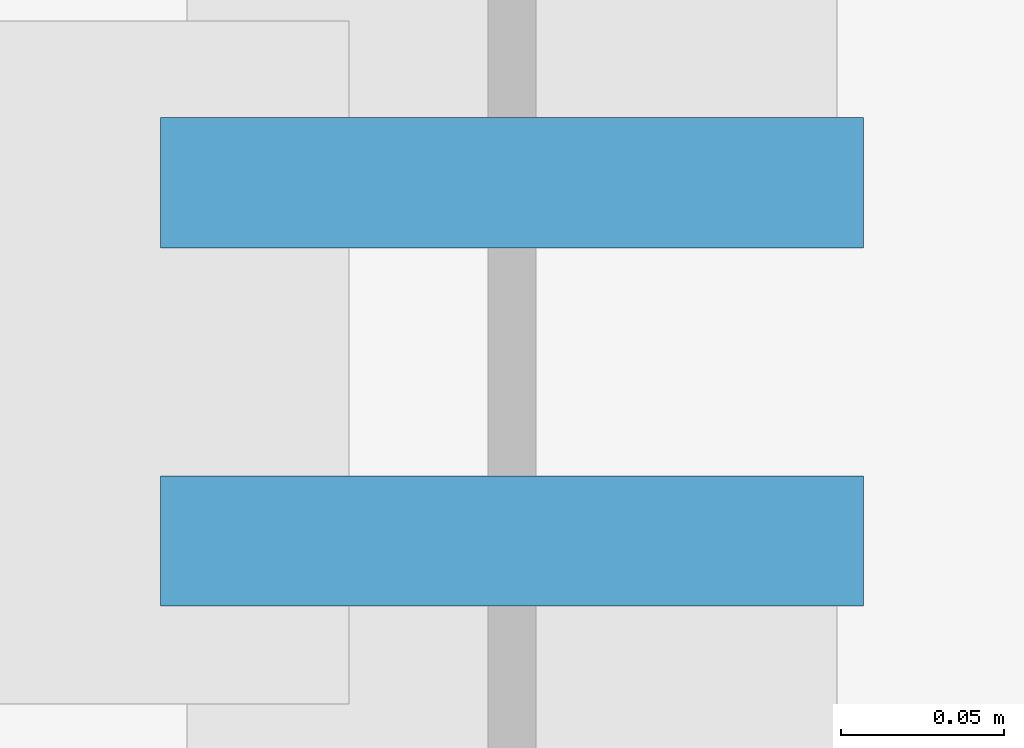
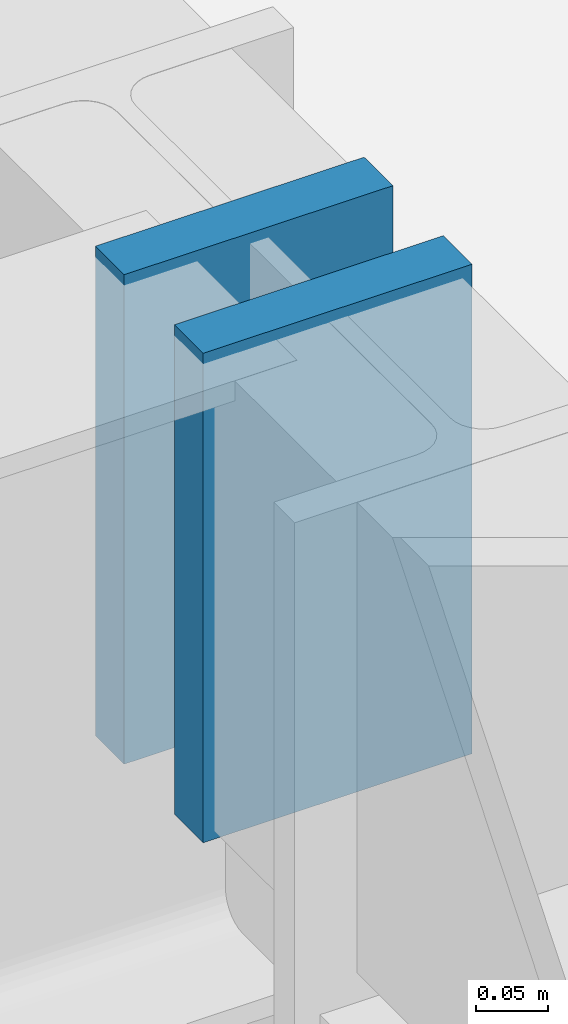
# One storey, part 30 of 44: 2 discrete accessories.
"""IFC4 building model written with IfcOpenShell, lengths in metres."""

from ifc_helpers import new_model, si_unit, direction, frame, origin, origin_2d, place, context, subcontext, project, spatial, rectangle, extrude, material, element, save


model = new_model("IFC4")

# Units and contexts
model_context = context("Model", 3, precision=1e-05, world=origin(), true_north=direction((0.0, 1.0)))
body_context = subcontext(model_context, "Body", "Model", "MODEL_VIEW")
ifc_project = project(units=[si_unit("LENGTHUNIT", "METRE"), si_unit("AREAUNIT", "SQUARE_METRE"), si_unit("VOLUMEUNIT", "CUBIC_METRE"), si_unit("PLANEANGLEUNIT", "RADIAN"), si_unit("MASSUNIT", "GRAM", prefix="KILO")], contexts=[model_context])

# Site, building, storey
site_placement = place(None, origin())
site = spatial("IfcSite", under=ifc_project, at=site_placement, CompositionType="ELEMENT")
building_placement = place(site_placement, origin())
building = spatial("IfcBuilding", under=site, at=building_placement, Name="Marlcrest Central Station", CompositionType="ELEMENT")
storey_placement = place(building_placement, frame((0.0, 0.0, 19.5)))
storey = spatial("IfcBuildingStorey", under=building, at=storey_placement, Name="L04", CompositionType="ELEMENT", Elevation=19.5)

# Discrete accessories
ifc_material = material(Name="Steel S355", Category="steel")
for number, where, z_axis, x_axis, name in (
    (1, (63.0, 120.925048828125, 4.074951171875), (0.0, 1.0, 0.0), (-1.0, 0.0, 0.0), "endcap-bm-SP-01-L04-00625-e"),
    (2, (63.0, 121.03515625, 4.074951171875), (0.0, 1.0, 0.0), (-1.0, 0.0, 0.0), "endcap-bm-SP-01-L04-00626-s"),
):
    element("IfcDiscreteAccessory", number, at=place(storey_placement, frame(where, z_axis=z_axis, x_axis=x_axis)), inside=storey, material=ifc_material, Name=name, ObjectType="END_CAP_PLATE", PredefinedType="BRACKET", context=body_context, shape_type="SweptSolid", body=[
        extrude(rectangle(XDim=0.216064453125, YDim=0.416015625, at=origin_2d()), origin(), (0.0, 0.0, 1.0), 0.0400390625),
    ])

save(model, "model.ifc")
